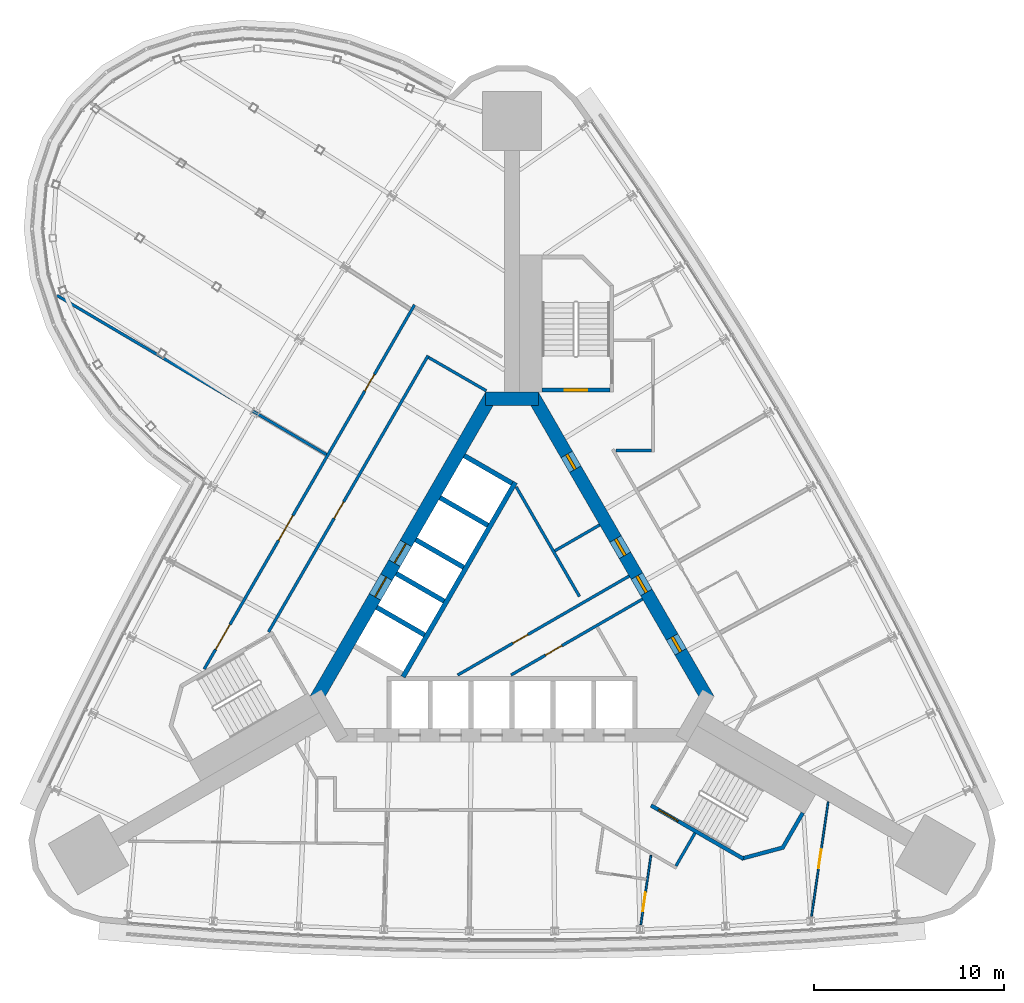
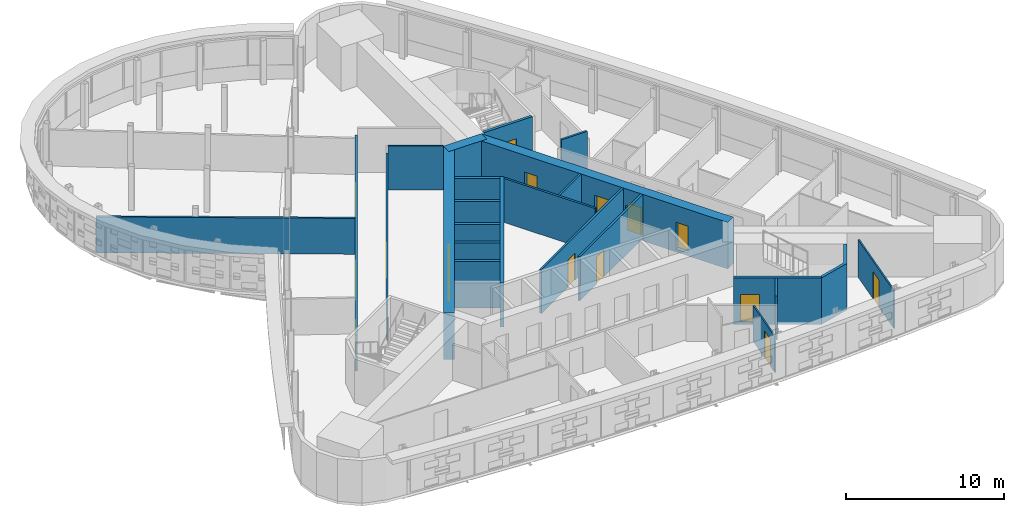
# One storey, part 12 of 17: 24 walls, 16 doors, 16 openings.
"""IFC4 building model written with IfcOpenShell, lengths in metres."""

from ifc_helpers import new_model, si_unit, direction, frame, frame_2d, origin, place, context, subcontext, project, spatial, polyline, rectangle, outline, extrude, material, layer, layer_set, type_object, element, fill, save


model = new_model("IFC4")

# Units and contexts
model_context = context("Model", 3, precision=1e-05, world=origin(), true_north=direction((0.0, 1.0)))
body_context = subcontext(model_context, "Body", "Model", "MODEL_VIEW")
ifc_project = project(units=[si_unit("LENGTHUNIT", "METRE"), si_unit("AREAUNIT", "SQUARE_METRE"), si_unit("VOLUMEUNIT", "CUBIC_METRE"), si_unit("PLANEANGLEUNIT", "RADIAN"), si_unit("MASSUNIT", "GRAM", prefix="KILO")], contexts=[model_context])

# Site, building, storey
site_placement = place(None, origin())
site = spatial("IfcSite", under=ifc_project, at=site_placement, CompositionType="ELEMENT")
building_placement = place(site_placement, origin())
building = spatial("IfcBuilding", under=site, at=building_placement, Name="Noor Cloister Tower", CompositionType="ELEMENT")
storey_placement = place(building_placement, frame((0.0, 0.0, 98.699951171875)))
storey = spatial("IfcBuildingStorey", under=building, at=storey_placement, Name="L25", CompositionType="ELEMENT", Elevation=98.699951171875)

# Wall, opening, door
ifc_material_1 = material(Name="Concrete C30/37", Category="concrete")
ifc_layer_1 = layer(ifc_material_1, 0.14990234375)
ifc_layer_set_1 = layer_set([ifc_layer_1], Name="Core partition 150 C30/37")
wall_type_1 = type_object("IfcWallType", Name="Core partition 150 C30/37", PredefinedType="PARTITIONING", material=ifc_layer_set_1)
wall_1_placement = place(storey_placement, frame((-2.8544921875, -3.4130859375, 0.0), z_axis=(0.0, 0.0, 1.0), x_axis=(0.866030102318, 0.499991861813, 0.0)))
wall_1 = element("IfcWall", 1, at=wall_1_placement, inside=storey, type_object=wall_type_1, Name="Core room partition L25 1", PredefinedType="PARTITIONING", context=body_context, shape_type="SweptSolid", body=[
    extrude(rectangle(XDim=10.406982421875, YDim=0.14990234375, at=frame_2d((5.20361328125, 0.0))), origin(), (0.0, 0.0, 1.0), 3.400146484375),
])
opening_1_placement = place(wall_1_placement, frame((3.3544921875, 0.0, 0.0)))
opening_1 = element("IfcOpeningElement", 2, at=opening_1_placement, cuts=wall_1, Name="Opening L25-906", PredefinedType="OPENING", context=body_context, shape_type="SweptSolid", body=[
    extrude(rectangle(XDim=0.89990234375, YDim=2.10009765625, at=frame_2d((0.449951171875, 1.050048828125))), frame((0.0, 0.0849609375, 0.0), z_axis=(0.0, -1.0, 0.0), x_axis=(1.0, 0.0, 0.0)), (0.0, 0.0, 1.0), 0.169921875),
])
ifc_material_2 = material(Name="Steel", Category="steel")
door_type_1 = type_object("IfcDoorType", Name="Core door 900 x 2100 FD120", OperationType="SINGLE_SWING_LEFT", PredefinedType="DOOR", material=ifc_material_2)
door_1_placement = place(opening_1_placement, origin())
door_1 = element("IfcDoor", 3, at=door_1_placement, inside=storey, type_object=door_type_1, Name="Core door 6 L25", OperationType="SINGLE_SWING_RIGHT", OverallHeight=2.10009765625, OverallWidth=0.89990234375, PredefinedType="DOOR", context=body_context, shape_type="SweptSolid", body=[
    extrude(rectangle(XDim=0.89990234375, YDim=2.10009765625, at=frame_2d((0.449951171875, 1.050048828125))), frame((0.0, 0.02490234375, 0.0), z_axis=(0.0, -1.0, 0.0), x_axis=(1.0, 0.0, 0.0)), (0.0, 0.0, 1.0), 0.050048828125),
])
fill(opening_1, door_1)

wall_2_placement = place(storey_placement, frame((-0.054443359375, -3.4130859375, 0.0), z_axis=(0.0, 0.0, 1.0), x_axis=(0.866026668906, 0.499997808738, 0.0)))
wall_2 = element("IfcWall", 4, at=wall_2_placement, inside=storey, type_object=wall_type_1, Name="Core room partition L25 3", PredefinedType="PARTITIONING", context=body_context, shape_type="SweptSolid", body=[
    extrude(rectangle(XDim=7.98193359375, YDim=0.14990234375, at=frame_2d((3.990966796875, 0.0))), origin(), (0.0, 0.0, 1.0), 3.400146484375),
])
opening_2_placement = place(wall_2_placement, frame((2.092041015625, 0.0, 0.0)))
opening_2 = element("IfcOpeningElement", 5, at=opening_2_placement, cuts=wall_2, Name="Opening L25-905", PredefinedType="OPENING", context=body_context, shape_type="SweptSolid", body=[
    extrude(rectangle(XDim=1.0, YDim=2.10009765625, at=frame_2d((0.5, 1.050048828125))), frame((0.0, 0.0849609375, 0.0), z_axis=(0.0, -1.0, 0.0), x_axis=(1.0, 0.0, 0.0)), (0.0, 0.0, 1.0), 0.169921875),
])
ifc_material_3 = material(Name="Steel", Category="steel")
door_type_2 = type_object("IfcDoorType", Name="Core door 1000 x 2100 FD60", OperationType="SINGLE_SWING_LEFT", PredefinedType="DOOR", material=ifc_material_3)
door_2_placement = place(opening_2_placement, origin())
door_2 = element("IfcDoor", 6, at=door_2_placement, inside=storey, type_object=door_type_2, Name="Core door 5 L25", OperationType="SINGLE_SWING_LEFT", OverallHeight=2.10009765625, OverallWidth=1.0, PredefinedType="DOOR", context=body_context, shape_type="SweptSolid", body=[
    extrude(rectangle(XDim=1.0, YDim=2.10009765625, at=frame_2d((0.5, 1.050048828125))), frame((0.0, 0.02490234375, 0.0), z_axis=(0.0, -1.0, 0.0), x_axis=(1.0, 0.0, 0.0)), (0.0, 0.0, 1.0), 0.050048828125),
])
fill(opening_2, door_2)

# Walls
wall_3_placement = place(storey_placement, frame((3.5458984375, 0.715087890625, 0.0), z_axis=(0.0, 0.0, 1.0), x_axis=(-0.50002895357, 0.866008686788, 0.0)))
element("IfcWall", 7, at=wall_3_placement, inside=storey, type_object=wall_type_1, Name="Core room partition L25 4", PredefinedType="PARTITIONING", context=body_context, shape_type="SweptSolid", body=[
    extrude(rectangle(XDim=6.64208984375, YDim=0.14990234375, at=frame_2d((3.321044921875, 0.0))), origin(), (0.0, 0.0, 1.0), 3.400146484375),
])
wall_4_placement = place(storey_placement, frame((2.248291015625, 3.1123046875, 0.0), z_axis=(0.0, 0.0, 1.0), x_axis=(0.866012511928, 0.500022328685, 0.0)))
element("IfcWall", 8, at=wall_4_placement, inside=storey, type_object=wall_type_1, Name="Core room partition L25 5", PredefinedType="PARTITIONING", context=body_context, shape_type="SweptSolid", body=[
    extrude(rectangle(XDim=2.72509765625, YDim=0.14990234375, at=frame_2d((1.362548828125, 0.0))), origin(), (0.0, 0.0, 1.0), 3.400146484375),
])

# Wall, openings, doors
ifc_material_4 = material(Name="Concrete C80/95", Category="concrete")
ifc_layer_2 = layer(ifc_material_4, 0.699951171875)
ifc_layer_set_2 = layer_set([ifc_layer_2], Name="Core wall 700 C80/95")
wall_type_2 = type_object("IfcWallType", Name="Core wall 700 C80/95", PredefinedType="SHEAR", material=ifc_layer_set_2)
wall_5_placement = place(storey_placement, frame((10.311279296875, -4.703125, -0.199951171875), z_axis=(0.0, 0.0, 1.0), x_axis=(-0.500001446645, 0.866024568562, 0.0)))
wall_5 = element("IfcWall", 9, at=wall_5_placement, inside=storey, type_object=wall_type_2, Name="Core wall L25 3", PredefinedType="SHEAR", context=body_context, shape_type="SweptSolid", body=[
    extrude(rectangle(XDim=18.45751953125, YDim=0.699951171875, at=frame_2d((9.228759765625, 0.0))), origin(), (0.0, 0.0, 1.0), 3.60009765625),
])
opening_3_placement = place(wall_5_placement, frame((6.5, 0.0, 0.199951171875)))
opening_3 = element("IfcOpeningElement", 10, at=opening_3_placement, cuts=wall_5, Name="Opening L25-901", PredefinedType="OPENING", context=body_context, shape_type="SweptSolid", body=[
    extrude(rectangle(XDim=1.0, YDim=2.10009765625, at=frame_2d((0.5, 1.050048828125))), frame((0.0, 0.35986328125, 0.0), z_axis=(0.0, -1.0, 0.0), x_axis=(1.0, 0.0, 0.0)), (0.0, 0.0, 1.0), 0.719970703125),
])
opening_4_placement = place(wall_5_placement, frame((2.902099609375, 0.0, 0.199951171875)))
opening_4 = element("IfcOpeningElement", 11, at=opening_4_placement, cuts=wall_5, Name="Opening L25-902", PredefinedType="OPENING", context=body_context, shape_type="SweptSolid", body=[
    extrude(rectangle(XDim=0.89990234375, YDim=2.10009765625, at=frame_2d((0.449951171875, 1.050048828125))), frame((0.0, 0.35986328125, 0.0), z_axis=(0.0, -1.0, 0.0), x_axis=(1.0, 0.0, 0.0)), (0.0, 0.0, 1.0), 0.719970703125),
])
opening_5_placement = place(wall_5_placement, frame((8.75, 0.0, 0.199951171875)))
opening_5 = element("IfcOpeningElement", 12, at=opening_5_placement, cuts=wall_5, Name="Opening L25-903", PredefinedType="OPENING", context=body_context, shape_type="SweptSolid", body=[
    extrude(rectangle(XDim=1.0, YDim=2.10009765625, at=frame_2d((0.5, 1.050048828125))), frame((0.0, 0.35986328125, 0.0), z_axis=(0.0, -1.0, 0.0), x_axis=(1.0, 0.0, 0.0)), (0.0, 0.0, 1.0), 0.719970703125),
])
opening_6_placement = place(wall_5_placement, frame((13.976806640625, 0.0, 0.199951171875)))
opening_6 = element("IfcOpeningElement", 13, at=opening_6_placement, cuts=wall_5, Name="Opening L25-904", PredefinedType="OPENING", context=body_context, shape_type="SweptSolid", body=[
    extrude(rectangle(XDim=0.89990234375, YDim=2.10009765625, at=frame_2d((0.449951171875, 1.050048828125))), frame((0.0, 0.35986328125, 0.0), z_axis=(0.0, -1.0, 0.0), x_axis=(1.0, 0.0, 0.0)), (0.0, 0.0, 1.0), 0.719970703125),
])
ifc_material_5 = material(Name="Steel", Category="steel")
door_type_3 = type_object("IfcDoorType", Name="Core door 1000 x 2100 FD120", OperationType="SINGLE_SWING_LEFT", PredefinedType="DOOR", material=ifc_material_5)
door_3_placement = place(opening_3_placement, origin())
door_3 = element("IfcDoor", 14, at=door_3_placement, inside=storey, type_object=door_type_3, Name="Core door 1 L25", OperationType="SINGLE_SWING_LEFT", OverallHeight=2.10009765625, OverallWidth=1.0, PredefinedType="DOOR", context=body_context, shape_type="SweptSolid", body=[
    extrude(rectangle(XDim=1.0, YDim=2.10009765625, at=frame_2d((0.5, 1.050048828125))), frame((0.0, 0.074951171875, 0.0), z_axis=(0.0, -1.0, 0.0), x_axis=(1.0, 0.0, 0.0)), (0.0, 0.0, 1.0), 0.14990234375),
])
fill(opening_3, door_3)
door_4_placement = place(opening_5_placement, origin())
door_4 = element("IfcDoor", 15, at=door_4_placement, inside=storey, type_object=door_type_2, Name="Core door 3 L25", OperationType="SINGLE_SWING_LEFT", OverallHeight=2.10009765625, OverallWidth=1.0, PredefinedType="DOOR", context=body_context, shape_type="SweptSolid", body=[
    extrude(rectangle(XDim=1.0, YDim=2.10009765625, at=frame_2d((0.5, 1.050048828125))), frame((0.0, 0.074951171875, 0.0), z_axis=(0.0, -1.0, 0.0), x_axis=(1.0, 0.0, 0.0)), (0.0, 0.0, 1.0), 0.14990234375),
])
fill(opening_5, door_4)
ifc_material_6 = material(Name="Steel", Category="steel")
door_type_4 = type_object("IfcDoorType", Name="Core door 900 x 2100 FD60", OperationType="SINGLE_SWING_LEFT", PredefinedType="DOOR", material=ifc_material_6)
door_5_placement = place(opening_4_placement, origin())
door_5 = element("IfcDoor", 16, at=door_5_placement, inside=storey, type_object=door_type_4, Name="Core door 2 L25", OperationType="SINGLE_SWING_RIGHT", OverallHeight=2.10009765625, OverallWidth=0.89990234375, PredefinedType="DOOR", context=body_context, shape_type="SweptSolid", body=[
    extrude(rectangle(XDim=0.89990234375, YDim=2.10009765625, at=frame_2d((0.449951171875, 1.050048828125))), frame((0.0, 0.074951171875, 0.0), z_axis=(0.0, -1.0, 0.0), x_axis=(1.0, 0.0, 0.0)), (0.0, 0.0, 1.0), 0.14990234375),
])
fill(opening_4, door_5)
door_6_placement = place(opening_6_placement, origin())
door_6 = element("IfcDoor", 17, at=door_6_placement, inside=storey, type_object=door_type_4, Name="Core door 4 L25", OperationType="SINGLE_SWING_RIGHT", OverallHeight=2.10009765625, OverallWidth=0.89990234375, PredefinedType="DOOR", context=body_context, shape_type="SweptSolid", body=[
    extrude(rectangle(XDim=0.89990234375, YDim=2.10009765625, at=frame_2d((0.449951171875, 1.050048828125))), frame((0.0, 0.074951171875, 0.0), z_axis=(0.0, -1.0, 0.0), x_axis=(1.0, 0.0, 0.0)), (0.0, 0.0, 1.0), 0.14990234375),
])
fill(opening_6, door_6)

# Wall
wall_6_placement = place(storey_placement, frame((1.3857421875, 11.1064453125, -0.199951171875), z_axis=(0.0, 0.0, 1.0), x_axis=(-1.0, 0.0, 0.0)))
element("IfcWall", 18, at=wall_6_placement, inside=storey, type_object=wall_type_2, Name="Core wall L25 4", PredefinedType="SHEAR", context=body_context, shape_type="SweptSolid", body=[
    extrude(rectangle(XDim=2.771484375, YDim=0.699951171875, at=frame_2d((1.3857421875, 0.0))), origin(), (0.0, 0.0, 1.0), 3.60009765625),
])

# Wall, openings, doors
wall_7_placement = place(storey_placement, frame((-1.08251953125, 11.281494140625, -0.199951171875), z_axis=(0.0, 0.0, 1.0), x_axis=(-0.500001446645, -0.866024568562, 0.0)))
wall_7 = element("IfcWall", 19, at=wall_7_placement, inside=storey, type_object=wall_type_2, Name="Core wall L25 5", PredefinedType="SHEAR", context=body_context, shape_type="SweptSolid", body=[
    extrude(rectangle(XDim=18.45751953125, YDim=0.699951171875, at=frame_2d((9.228759765625, 0.0))), origin(), (0.0, 0.0, 1.0), 3.60009765625),
])
opening_7_placement = place(wall_7_placement, frame((8.978759765625, 0.0, 0.199951171875)))
opening_7 = element("IfcOpeningElement", 20, at=opening_7_placement, cuts=wall_7, Name="Opening L25-FF1", PredefinedType="OPENING", context=body_context, shape_type="SweptSolid", body=[
    extrude(rectangle(XDim=1.199951171875, YDim=2.10009765625, at=frame_2d((0.60009765625, 1.050048828125))), frame((0.0, 0.35986328125, 0.0), z_axis=(0.0, -1.0, 0.0), x_axis=(1.0, 0.0, 0.0)), (0.0, 0.0, 1.0), 0.719970703125),
])
opening_8_placement = place(wall_7_placement, frame((11.02880859375, 0.0, 0.199951171875)))
opening_8 = element("IfcOpeningElement", 21, at=opening_8_placement, cuts=wall_7, Name="Opening L25-FF2", PredefinedType="OPENING", context=body_context, shape_type="SweptSolid", body=[
    extrude(rectangle(XDim=1.199951171875, YDim=2.10009765625, at=frame_2d((0.60009765625, 1.050048828125))), frame((0.0, 0.35986328125, 0.0), z_axis=(0.0, -1.0, 0.0), x_axis=(1.0, 0.0, 0.0)), (0.0, 0.0, 1.0), 0.719970703125),
])
ifc_material_7 = material(Name="Stainless steel", Category="steel")
door_type_5 = type_object("IfcDoorType", Name="Lift landing door 1200 x 2100", OperationType="DOUBLE_DOOR_SLIDING", PredefinedType="DOOR", material=ifc_material_7)
door_7_placement = place(opening_7_placement, origin())
door_7 = element("IfcDoor", 22, at=door_7_placement, inside=storey, type_object=door_type_5, Name="Landing door FF1 L25", OperationType="DOUBLE_DOOR_SLIDING", OverallHeight=2.10009765625, OverallWidth=1.199951171875, PredefinedType="DOOR", context=body_context, shape_type="SweptSolid", body=[
    extrude(rectangle(XDim=1.199951171875, YDim=2.10009765625, at=frame_2d((0.60009765625, 1.050048828125))), frame((0.0, 0.02490234375, 0.0), z_axis=(0.0, -1.0, 0.0), x_axis=(1.0, 0.0, 0.0)), (0.0, 0.0, 1.0), 0.050048828125),
])
fill(opening_7, door_7)
door_8_placement = place(opening_8_placement, origin())
door_8 = element("IfcDoor", 23, at=door_8_placement, inside=storey, type_object=door_type_5, Name="Landing door FF2 L25", OperationType="DOUBLE_DOOR_SLIDING", OverallHeight=2.10009765625, OverallWidth=1.199951171875, PredefinedType="DOOR", context=body_context, shape_type="SweptSolid", body=[
    extrude(rectangle(XDim=1.199951171875, YDim=2.10009765625, at=frame_2d((0.60009765625, 1.050048828125))), frame((0.0, 0.02490234375, 0.0), z_axis=(0.0, -1.0, 0.0), x_axis=(1.0, 0.0, 0.0)), (0.0, 0.0, 1.0), 0.050048828125),
])
fill(opening_8, door_8)

# Wall, opening, door
ifc_material_8 = material(Name="Fire-rated gypsum board partition on steel studs, 150 mm", Category="steel")
ifc_layer_3 = layer(ifc_material_8, 0.14990234375)
ifc_layer_set_3 = layer_set([ifc_layer_3], Name="Fire lobby wall 150")
wall_type_3 = type_object("IfcWallType", Name="Fire lobby wall 150", PredefinedType="PARTITIONING", material=ifc_layer_set_3)
wall_8_placement = place(storey_placement, frame((-4.40673828125, 13.373779296875, 0.0), z_axis=(0.0, 0.0, 1.0), x_axis=(-0.499997181693, -0.866027030928, 0.0)))
wall_8 = element("IfcWall", 24, at=wall_8_placement, inside=storey, type_object=wall_type_3, Name="Fire lobby wall 150 L25 002", PredefinedType="PARTITIONING", context=body_context, shape_type="SweptSolid", body=[
    extrude(rectangle(XDim=16.76953125, YDim=0.14990234375, at=frame_2d((8.384765625, 0.0))), origin(), (0.0, 0.0, 1.0), 2.778076171875),
])
opening_9_placement = place(wall_8_placement, frame((8.878662109375, 0.0, 0.0)))
opening_9 = element("IfcOpeningElement", 25, at=opening_9_placement, cuts=wall_8, Name="Opening L25-004", PredefinedType="OPENING", context=body_context, shape_type="SweptSolid", body=[
    extrude(rectangle(XDim=1.0, YDim=2.10009765625, at=frame_2d((0.5, 1.050048828125))), frame((0.0, 0.0849609375, 0.0), z_axis=(0.0, -1.0, 0.0), x_axis=(1.0, 0.0, 0.0)), (0.0, 0.0, 1.0), 0.169921875),
])
ifc_material_9 = material(Name="Timber door leaf with steel frame", Category="steel")
door_type_6 = type_object("IfcDoorType", Name="Fire lobby door 1000", OperationType="NOTDEFINED", PredefinedType="DOOR", material=ifc_material_9)
door_9_placement = place(opening_9_placement, origin())
door_9 = element("IfcDoor", 26, at=door_9_placement, inside=storey, type_object=door_type_6, Name="Fire lobby door 1000 L25-004", OperationType="SINGLE_SWING_RIGHT", OverallHeight=2.10009765625, OverallWidth=1.0, PredefinedType="DOOR", context=body_context, shape_type="SweptSolid", body=[
    extrude(rectangle(XDim=1.0, YDim=2.10009765625, at=frame_2d((0.5, 1.050048828125))), frame((0.0, 0.02490234375, 0.0), z_axis=(0.0, -1.0, 0.0), x_axis=(1.0, 0.0, 0.0)), (0.0, 0.0, 1.0), 0.050048828125),
])
fill(opening_9, door_9)

# Wall
wall_9_placement = place(storey_placement, frame((-4.379150390625, 13.271484375, 0.0), z_axis=(0.0, 0.0, 1.0), x_axis=(0.866019471182, -0.500010275428, 0.0)))
element("IfcWall", 27, at=wall_9_placement, inside=storey, type_object=wall_type_3, Name="Fire lobby wall 150 L25 008", PredefinedType="PARTITIONING", context=body_context, shape_type="SweptSolid", body=[
    extrude(rectangle(XDim=3.5, YDim=0.14990234375, at=frame_2d((1.75, 0.0))), origin(), (0.0, 0.0, 1.0), 3.400146484375),
])

# Wall, openings, doors
ifc_material_10 = material(Name="Gypsum board partition on steel studs, 150 mm", Category="steel")
ifc_layer_4 = layer(ifc_material_10, 0.14990234375)
ifc_layer_set_4 = layer_set([ifc_layer_4], Name="Flat wall 150")
wall_type_4 = type_object("IfcWallType", Name="Flat wall 150", PredefinedType="PARTITIONING", material=ifc_layer_set_4)
wall_10_placement = place(storey_placement, frame((-16.1689453125, -3.09912109375, 0.0), z_axis=(0.0, 0.0, 1.0), x_axis=(0.499999805269, 0.866025516212, 0.0)))
wall_10 = element("IfcWall", 28, at=wall_10_placement, inside=storey, type_object=wall_type_4, Name="Flat wall 150 L25 001", PredefinedType="PARTITIONING", context=body_context, shape_type="SweptSolid", body=[
    extrude(rectangle(XDim=22.09716796875, YDim=0.14990234375, at=frame_2d((11.048583984375, 0.0))), origin(), (0.0, 0.0, 1.0), 2.778076171875),
])
opening_10_placement = place(wall_10_placement, frame((16.878173828125, 0.0, 0.0)))
opening_10 = element("IfcOpeningElement", 29, at=opening_10_placement, cuts=wall_10, Name="Opening L25-001", PredefinedType="OPENING", context=body_context, shape_type="SweptSolid", body=[
    extrude(rectangle(XDim=1.0, YDim=2.10009765625, at=frame_2d((0.5, 1.050048828125))), frame((0.0, 0.0849609375, 0.0), z_axis=(0.0, -1.0, 0.0), x_axis=(1.0, 0.0, 0.0)), (0.0, 0.0, 1.0), 0.169921875),
])
opening_11_placement = place(wall_10_placement, frame((7.815673828125, 0.0, 0.0)))
opening_11 = element("IfcOpeningElement", 30, at=opening_11_placement, cuts=wall_10, Name="Opening L25-002", PredefinedType="OPENING", context=body_context, shape_type="SweptSolid", body=[
    extrude(rectangle(XDim=1.5, YDim=2.10009765625, at=frame_2d((0.75, 1.050048828125))), frame((0.0, 0.0849609375, 0.0), z_axis=(0.0, -1.0, 0.0), x_axis=(1.0, 0.0, 0.0)), (0.0, 0.0, 1.0), 0.169921875),
])
opening_12_placement = place(wall_10_placement, frame((1.199951171875, 0.0, 0.0)))
opening_12 = element("IfcOpeningElement", 31, at=opening_12_placement, cuts=wall_10, Name="Opening L25-003", PredefinedType="OPENING", context=body_context, shape_type="SweptSolid", body=[
    extrude(rectangle(XDim=1.5, YDim=2.10009765625, at=frame_2d((0.75, 1.050048828125))), frame((0.0, 0.0849609375, 0.0), z_axis=(0.0, -1.0, 0.0), x_axis=(1.0, 0.0, 0.0)), (0.0, 0.0, 1.0), 0.169921875),
])
ifc_material_11 = material(Name="Timber door leaf with steel frame", Category="steel")
door_type_7 = type_object("IfcDoorType", Name="Double door 1500 FD60", OperationType="NOTDEFINED", PredefinedType="DOOR", material=ifc_material_11)
door_10_placement = place(opening_11_placement, origin())
door_10 = element("IfcDoor", 32, at=door_10_placement, inside=storey, type_object=door_type_7, Name="Double door 1500 L25-002", OperationType="DOUBLE_DOOR_SINGLE_SWING", OverallHeight=2.10009765625, OverallWidth=1.5, PredefinedType="DOOR", context=body_context, shape_type="SweptSolid", body=[
    extrude(rectangle(XDim=1.5, YDim=2.10009765625, at=frame_2d((0.75, 1.050048828125))), frame((0.0, 0.02490234375, 0.0), z_axis=(0.0, -1.0, 0.0), x_axis=(1.0, 0.0, 0.0)), (0.0, 0.0, 1.0), 0.050048828125),
])
fill(opening_11, door_10)
door_11_placement = place(opening_12_placement, origin())
door_11 = element("IfcDoor", 33, at=door_11_placement, inside=storey, type_object=door_type_7, Name="Double door 1500 L25-003", OperationType="DOUBLE_DOOR_SINGLE_SWING", OverallHeight=2.10009765625, OverallWidth=1.5, PredefinedType="DOOR", context=body_context, shape_type="SweptSolid", body=[
    extrude(rectangle(XDim=1.5, YDim=2.10009765625, at=frame_2d((0.75, 1.050048828125))), frame((0.0, 0.02490234375, 0.0), z_axis=(0.0, -1.0, 0.0), x_axis=(1.0, 0.0, 0.0)), (0.0, 0.0, 1.0), 0.050048828125),
])
fill(opening_12, door_11)
ifc_material_12 = material(Name="Timber door leaf with steel frame", Category="steel")
door_type_8 = type_object("IfcDoorType", Name="Interior door 1000 FD60", OperationType="NOTDEFINED", PredefinedType="DOOR", material=ifc_material_12)
door_12_placement = place(opening_10_placement, origin())
door_12 = element("IfcDoor", 34, at=door_12_placement, inside=storey, type_object=door_type_8, Name="Interior door 1000 L25-001", OperationType="SINGLE_SWING_RIGHT", OverallHeight=2.10009765625, OverallWidth=1.0, PredefinedType="DOOR", context=body_context, shape_type="SweptSolid", body=[
    extrude(rectangle(XDim=1.0, YDim=2.10009765625, at=frame_2d((0.5, 1.050048828125))), frame((0.0, 0.02490234375, 0.0), z_axis=(0.0, -1.0, 0.0), x_axis=(1.0, 0.0, 0.0)), (0.0, 0.0, 1.0), 0.050048828125),
])
fill(opening_10, door_12)

# Walls
wall_11_placement = place(storey_placement, frame((8.613525390625, -13.443603515625, 0.0), z_axis=(0.0, 0.0, 1.0), x_axis=(0.499972520799, 0.866041268327, 0.0)))
element("IfcWall", 35, at=wall_11_placement, inside=storey, type_object=wall_type_4, Name="Flat wall 150 L25 010", PredefinedType="PARTITIONING", context=body_context, shape_type="SweptSolid", body=[
    extrude(rectangle(XDim=2.0, YDim=0.14990234375, at=frame_2d((1.0, 0.0))), origin(), (0.0, 0.0, 1.0), 3.400146484375),
])
wall_12_placement = place(storey_placement, frame((5.4560546875, 8.38134765625, 0.0), z_axis=(0.0, 0.0, 1.0), x_axis=(1.0, 0.0, 0.0)))
element("IfcWall", 36, at=wall_12_placement, inside=storey, type_object=wall_type_4, Name="Flat wall 150 L25 013", PredefinedType="PARTITIONING", context=body_context, shape_type="SweptSolid", body=[
    extrude(rectangle(XDim=1.879638671875, YDim=0.14990234375, at=frame_2d((0.93994140625, 0.0))), origin(), (0.0, 0.0, 1.0), 3.400146484375),
])
wall_13_placement = place(storey_placement, frame((-23.908935546875, 16.533203125, 0.0), z_axis=(0.0, 0.0, 1.0), x_axis=(0.86106275482, -0.508498704288, 0.0)))
element("IfcWall", 37, at=wall_13_placement, inside=storey, type_object=wall_type_4, Name="Flat wall 150 L25 017", PredefinedType="PARTITIONING", context=body_context, shape_type="SweptSolid", body=[
    extrude(rectangle(XDim=16.444091796875, YDim=0.14990234375, at=frame_2d((8.22216796875, 0.0))), origin(), (0.0, 0.0, 1.0), 2.778076171875),
])

# Wall, opening, door
ifc_material_13 = material(Name="Gypsum board partition on steel studs, 100 mm", Category="steel")
ifc_layer_5 = layer(ifc_material_13, 0.10009765625)
ifc_layer_set_5 = layer_set([ifc_layer_5], Name="Partition 100")
wall_type_5 = type_object("IfcWallType", Name="Partition 100", PredefinedType="PARTITIONING", material=ifc_layer_set_5)
wall_14_placement = place(storey_placement, frame((16.610107421875, -10.072998046875, 0.0), z_axis=(0.0, 0.0, 1.0), x_axis=(-0.143841065588, -0.989600802269, 0.0)))
wall_14 = element("IfcWall", 38, at=wall_14_placement, inside=storey, type_object=wall_type_5, Name="Partition 100 L25 026", PredefinedType="PARTITIONING", context=body_context, shape_type="SweptSolid", body=[
    extrude(rectangle(XDim=6.072998046875, YDim=0.10009765625, at=frame_2d((3.03662109375, 0.0))), origin(), (0.0, 0.0, 1.0), 2.923095703125),
])
opening_13_placement = place(wall_14_placement, frame((2.5263671875, 0.0, 0.0)))
opening_13 = element("IfcOpeningElement", 39, at=opening_13_placement, cuts=wall_14, Name="Opening L25-016", PredefinedType="OPENING", context=body_context, shape_type="SweptSolid", body=[
    extrude(rectangle(XDim=1.0, YDim=2.10009765625, at=frame_2d((0.5, 1.050048828125))), frame((0.0, 0.06005859375, 0.0), z_axis=(0.0, -1.0, 0.0), x_axis=(1.0, 0.0, 0.0)), (0.0, 0.0, 1.0), 0.1201171875),
])
ifc_material_14 = material(Name="Timber door leaf with steel frame", Category="steel")
door_type_9 = type_object("IfcDoorType", Name="Interior door 1000", OperationType="NOTDEFINED", PredefinedType="DOOR", material=ifc_material_14)
door_13_placement = place(opening_13_placement, origin())
door_13 = element("IfcDoor", 40, at=door_13_placement, inside=storey, type_object=door_type_9, Name="Interior door 1000 L25-016", OperationType="SINGLE_SWING_LEFT", OverallHeight=2.10009765625, OverallWidth=1.0, PredefinedType="DOOR", context=body_context, shape_type="SweptSolid", body=[
    extrude(rectangle(XDim=1.0, YDim=2.10009765625, at=frame_2d((0.5, 1.050048828125))), frame((0.0, 0.02490234375, 0.0), z_axis=(0.0, -1.0, 0.0), x_axis=(1.0, 0.0, 0.0)), (0.0, 0.0, 1.0), 0.050048828125),
])
fill(opening_13, door_13)

wall_15_placement = place(storey_placement, frame((7.299560546875, -12.87939453125, 0.0), z_axis=(0.0, 0.0, 1.0), x_axis=(-0.14388794615, -0.989593986922, 0.0)))
wall_15 = element("IfcWall", 41, at=wall_15_placement, inside=storey, type_object=wall_type_5, Name="Partition 100 L25 028", PredefinedType="PARTITIONING", context=body_context, shape_type="SweptSolid", body=[
    extrude(rectangle(XDim=3.685302734375, YDim=0.10009765625, at=frame_2d((1.8427734375, 0.0))), origin(), (0.0, 0.0, 1.0), 2.778076171875),
])
opening_14_placement = place(wall_15_placement, frame((1.978759765625, 0.0, 0.0)))
opening_14 = element("IfcOpeningElement", 42, at=opening_14_placement, cuts=wall_15, Name="Opening L25-019", PredefinedType="OPENING", context=body_context, shape_type="SweptSolid", body=[
    extrude(rectangle(XDim=1.0, YDim=2.10009765625, at=frame_2d((0.5, 1.050048828125))), frame((0.0, 0.06005859375, 0.0), z_axis=(0.0, -1.0, 0.0), x_axis=(1.0, 0.0, 0.0)), (0.0, 0.0, 1.0), 0.1201171875),
])
door_14_placement = place(opening_14_placement, origin())
door_14 = element("IfcDoor", 43, at=door_14_placement, inside=storey, type_object=door_type_9, Name="Interior door 1000 L25-019", OperationType="SINGLE_SWING_RIGHT", OverallHeight=2.10009765625, OverallWidth=1.0, PredefinedType="DOOR", context=body_context, shape_type="SweptSolid", body=[
    extrude(rectangle(XDim=1.0, YDim=2.10009765625, at=frame_2d((0.5, 1.050048828125))), frame((0.0, 0.02490234375, 0.0), z_axis=(0.0, -1.0, 0.0), x_axis=(1.0, 0.0, 0.0)), (0.0, 0.0, 1.0), 0.050048828125),
])
fill(opening_14, door_14)

# Walls
ifc_material_15 = material(Name="Concrete C80/95", Category="concrete")
ifc_layer_6 = layer(ifc_material_15, 0.25)
ifc_layer_set_6 = layer_set([ifc_layer_6], Name="Shaft wall 250 C80/95")
wall_type_6 = type_object("IfcWallType", Name="Shaft wall 250 C80/95", PredefinedType="PARTITIONING", material=ifc_layer_set_6)
wall_16_placement = place(storey_placement, frame((-2.50634765625, 8.115478515625, -0.199951171875), z_axis=(0.0, 0.0, 1.0), x_axis=(0.865996321171, -0.50005036918, 0.0)))
element("IfcWall", 44, at=wall_16_placement, inside=storey, type_object=wall_type_6, Name="Lift shaft wall L25 NW 1", PredefinedType="PARTITIONING", context=body_context, shape_type="SweptSolid", body=[
    extrude(rectangle(XDim=2.900146484375, YDim=0.25, at=frame_2d((1.4501953125, 0.0))), origin(), (0.0, 0.0, 1.0), 3.60009765625),
])
for number, where, z_axis, x_axis, name in (
    (45, (-3.78125, 5.906982421875, -0.199951171875), (0.0, 0.0, 1.0), (0.866032775405, -0.499987231761, 0.0), "Lift shaft wall L25 NW 2"),
    (46, (-5.056396484375, 3.69873046875, -0.199951171875), (0.0, 0.0, 1.0), (0.866032775405, -0.499987231761, 0.0), "Lift shaft wall L25 NW 3"),
    (47, (-6.081298828125, 1.92333984375, -0.199951171875), (0.0, 0.0, 1.0), (0.866032775405, -0.499987231761, 0.0), "Lift shaft wall L25 NW 4"),
    (48, (-7.106201171875, 0.14794921875, -0.199951171875), (0.0, 0.0, 1.0), (0.866032775405, -0.499987231761, 0.0), "Lift shaft wall L25 NW 5"),
):
    element("IfcWall", number, at=place(storey_placement, frame(where, z_axis=z_axis, x_axis=x_axis)), inside=storey, type_object=wall_type_6, Name=name, PredefinedType="PARTITIONING", context=body_context, shape_type="SweptSolid", body=[
        extrude(rectangle(XDim=2.89990234375, YDim=0.25, at=frame_2d((1.449951171875, 0.0))), origin(), (0.0, 0.0, 1.0), 3.60009765625),
    ])
wall_17_placement = place(storey_placement, frame((0.176025390625, 6.711181640625, 0.0), z_axis=(0.0, 0.0, 1.0), x_axis=(-0.500004227369, -0.866022963098, 0.0)))
element("IfcWall", 49, at=wall_17_placement, inside=storey, type_object=wall_type_6, Name="Lift shaft back wall L25 NW", PredefinedType="PARTITIONING", context=body_context, shape_type="SweptSolid", body=[
    extrude(rectangle(XDim=11.80029296875, YDim=0.25, at=frame_2d((5.900146484375, 0.0))), origin(), (0.0, 0.0, 1.0), 3.400146484375),
])

# Wall, opening, door
ifc_material_16 = material(Name="Concrete C80/95", Category="concrete")
ifc_layer_7 = layer(ifc_material_16, 0.199951171875)
ifc_layer_set_7 = layer_set([ifc_layer_7], Name="Stair enclosure wall 200 C80/95")
wall_type_7 = type_object("IfcWallType", Name="Stair enclosure wall 200 C80/95", PredefinedType="SHEAR", material=ifc_layer_set_7)
wall_18_placement = place(storey_placement, frame((5.135498046875, 11.556396484375, -0.199951171875), z_axis=(0.0, 0.0, 1.0), x_axis=(-1.0, 0.0, 0.0)))
wall_18 = element("IfcWall", 50, at=wall_18_placement, inside=storey, type_object=wall_type_7, Name="Stair enclosure wall ST1 L25 near end", PredefinedType="SHEAR", context=body_context, shape_type="SweptSolid", body=[
    extrude(rectangle(XDim=3.5498046875, YDim=0.199951171875, at=frame_2d((1.77490234375, 0.0))), origin(), (0.0, 0.0, 1.0), 3.60009765625),
])
opening_15_placement = place(wall_18_placement, frame((1.175048828125, 0.0, 0.199951171875)))
opening_15 = element("IfcOpeningElement", 51, at=opening_15_placement, cuts=wall_18, Name="Opening L25-ST1L", PredefinedType="OPENING", context=body_context, shape_type="SweptSolid", body=[
    extrude(rectangle(XDim=1.199951171875, YDim=2.10009765625, at=frame_2d((0.60009765625, 1.050048828125))), frame((0.0, 0.10986328125, 0.0), z_axis=(0.0, -1.0, 0.0), x_axis=(1.0, 0.0, 0.0)), (0.0, 0.0, 1.0), 0.219970703125),
])
ifc_material_17 = material(Name="Steel", Category="steel")
door_type_10 = type_object("IfcDoorType", Name="Stair door 1200 x 2100 FD120", OperationType="SINGLE_SWING_LEFT", PredefinedType="DOOR", material=ifc_material_17)
door_15_placement = place(opening_15_placement, origin())
door_15 = element("IfcDoor", 52, at=door_15_placement, inside=storey, type_object=door_type_10, Name="Stair door ST1 L25", OperationType="SINGLE_SWING_RIGHT", OverallHeight=2.10009765625, OverallWidth=1.199951171875, PredefinedType="DOOR", context=body_context, shape_type="SweptSolid", body=[
    extrude(rectangle(XDim=1.199951171875, YDim=2.10009765625, at=frame_2d((0.60009765625, 1.050048828125))), frame((0.0, 0.02490234375, 0.0), z_axis=(0.0, -1.0, 0.0), x_axis=(1.0, 0.0, 0.0)), (0.0, 0.0, 1.0), 0.050048828125),
])
fill(opening_15, door_15)

wall_19_placement = place(storey_placement, frame((7.3037109375, -10.262451171875, -0.199951171875), z_axis=(0.0, 0.0, 1.0), x_axis=(0.866026594901, -0.49999793692, 0.0)))
wall_19 = element("IfcWall", 53, at=wall_19_placement, inside=storey, type_object=wall_type_7, Name="Stair enclosure wall ST3 L25 outer side", PredefinedType="SHEAR", context=body_context, shape_type="SweptSolid", body=[
    extrude(rectangle(XDim=5.60009765625, YDim=0.199951171875, at=frame_2d((2.800048828125, 0.0))), origin(), (0.0, 0.0, 1.0), 3.60009765625),
])
opening_16_placement = place(wall_19_placement, frame((0.449951171875, 0.0, 0.199951171875)))
opening_16 = element("IfcOpeningElement", 54, at=opening_16_placement, cuts=wall_19, Name="Opening L25-ST3C", PredefinedType="OPENING", context=body_context, shape_type="SweptSolid", body=[
    extrude(rectangle(XDim=1.199951171875, YDim=2.10009765625, at=frame_2d((0.60009765625, 1.050048828125))), frame((0.0, 0.10986328125, 0.0), z_axis=(0.0, -1.0, 0.0), x_axis=(1.0, 0.0, 0.0)), (0.0, 0.0, 1.0), 0.219970703125),
])
door_16_placement = place(opening_16_placement, origin())
door_16 = element("IfcDoor", 55, at=door_16_placement, inside=storey, type_object=door_type_10, Name="Stair door ST3 L25", OperationType="SINGLE_SWING_LEFT", OverallHeight=2.10009765625, OverallWidth=1.199951171875, PredefinedType="DOOR", context=body_context, shape_type="SweptSolid", body=[
    extrude(rectangle(XDim=1.199951171875, YDim=2.10009765625, at=frame_2d((0.60009765625, 1.050048828125))), frame((0.0, 0.02490234375, 0.0), z_axis=(0.0, -1.0, 0.0), x_axis=(1.0, 0.0, 0.0)), (0.0, 0.0, 1.0), 0.050048828125),
])
fill(opening_16, door_16)

# Wall
ifc_material_18 = material(Name="Concrete C80/95", Category="concrete")
wall_type_8 = type_object("IfcWallType", Name="Stair far end wall C80/95", PredefinedType="SHEAR", material=ifc_material_18)
wall_20_placement = place(storey_placement, frame((0.0, 0.0, -0.199951171875)))
element("IfcWall", 56, at=wall_20_placement, inside=storey, type_object=wall_type_8, Name="Stair enclosure wall ST3 L25 far end", PredefinedType="SHEAR", context=body_context, shape_type="SweptSolid", body=[
    extrude(outline(polyline([(12.103515625, -13.14892578125), (14.2890625, -12.5634765625), (15.364013671875, -10.701416015625), (15.19091796875, -10.601318359375), (14.1572265625, -12.3916015625), (12.131591796875, -12.934326171875), (12.20361328125, -12.975830078125), (12.20361328125, -12.975830078125), (12.20361328125, -12.975830078125), (12.20361328125, -12.975830078125), (12.20361328125, -12.975830078125), (12.20361328125, -12.975830078125), (12.20361328125, -12.975830078125), (12.20361328125, -12.975830078125), (12.20361328125, -12.975830078125), (12.20361328125, -12.975830078125), (12.20361328125, -12.975830078125), (12.20361328125, -12.975830078125), (12.20361328125, -12.975830078125), (12.20361328125, -12.975830078125), (12.20361328125, -12.975830078125), (12.20361328125, -12.975830078125), (12.20361328125, -12.975830078125), (12.103515625, -13.14892578125)])), origin(), (0.0, 0.0, 1.0), 3.60009765625),
])

save(model, "model.ifc")
